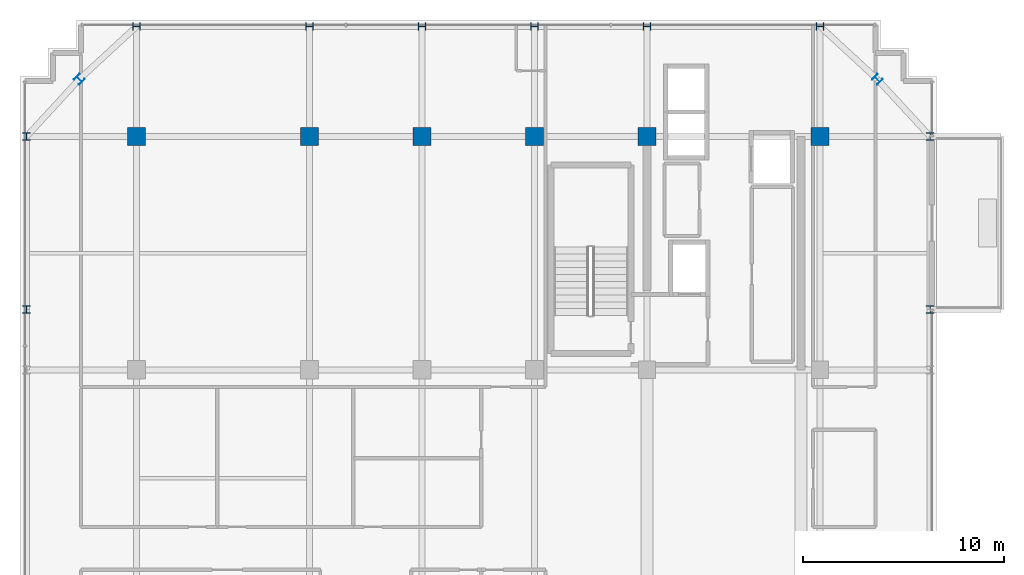
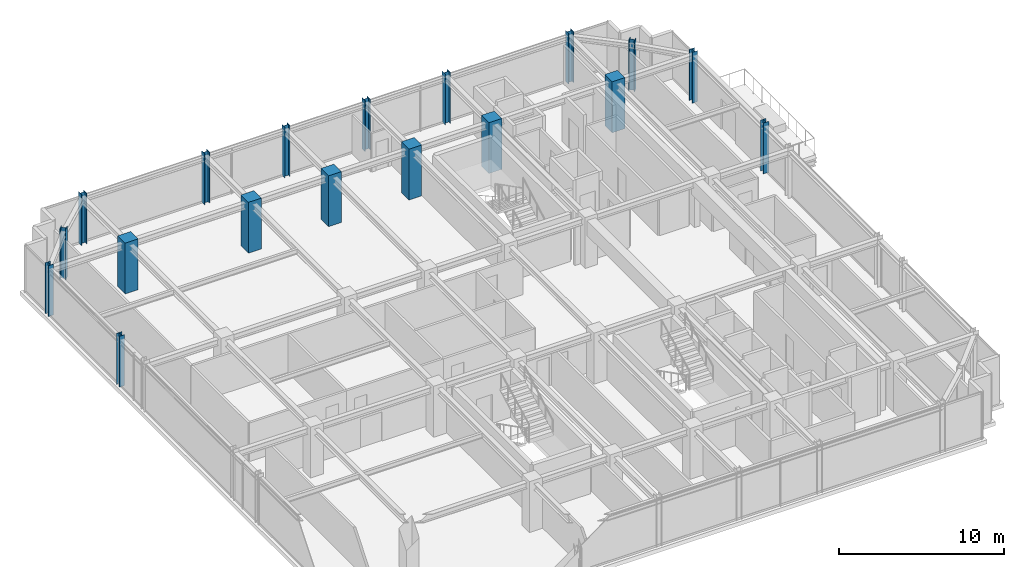
# One storey, part 3 of 32: 18 columns.
"""IFC4 building model written with IfcOpenShell, lengths in metres."""

from ifc_helpers import new_model, si_unit, direction, frame, origin, origin_2d, place, context, subcontext, project, spatial, rectangle, i_section, extrude, source, transform, mapped, material, material_profile, profile_set, type_object, element, save


model = new_model("IFC4")

# Units and contexts
model_context = context("Model", 3, precision=1e-05, world=origin(), true_north=direction((0.0, 1.0)))
body_context = subcontext(model_context, "Body", "Model", "MODEL_VIEW")
ifc_project = project(units=[si_unit("LENGTHUNIT", "METRE"), si_unit("AREAUNIT", "SQUARE_METRE"), si_unit("VOLUMEUNIT", "CUBIC_METRE"), si_unit("PLANEANGLEUNIT", "RADIAN"), si_unit("MASSUNIT", "GRAM", prefix="KILO")], contexts=[model_context])

# Site, building, storey
site_placement = place(None, origin())
site = spatial("IfcSite", under=ifc_project, at=site_placement, CompositionType="ELEMENT")
building_placement = place(site_placement, origin())
building = spatial("IfcBuilding", under=site, at=building_placement, Name="Nahalor Promenade Grand Hotel", CompositionType="ELEMENT")
storey_placement = place(building_placement, frame((0.0, 0.0, 330.949951171875)))
storey = spatial("IfcBuildingStorey", under=building, at=storey_placement, Name="L85", CompositionType="ELEMENT", Elevation=330.949951171875)

# Columns
ifc_material_1 = material(Name="Concrete B-50 (C40/50)", Category="concrete")
ifc_material_profile_1 = material_profile(ifc_material_1, rectangle(XDim=0.9, YDim=0.9, at=origin_2d()), Name="RC 900x900")
ifc_profile_set_1 = profile_set([ifc_material_profile_1], Name="Concrete B-50 (C40/50)")
column_type_1 = type_object("IfcColumnType", Name="Col-RC-900", PredefinedType="COLUMN", material=ifc_profile_set_1)
shared_shape_1 = source(origin(), body_context, "Body", "SweptSolid", [
    extrude(rectangle(XDim=0.9, YDim=0.9, at=origin_2d()), origin(), (0.0, 0.0, 1.0), 3.755126953125),
])
for number, where, z_axis, x_axis, name in (
    (1, (-17.0, 17.0, 0.0), (0.0, 0.0, 1.0), (1.0, 0.0, 0.0), "COL-L85-I03"),
    (2, (-8.39990234375, 17.0, 0.0), (0.0, 0.0, 1.0), (1.0, 0.0, 0.0), "COL-L85-I13"),
    (3, (-2.800048828125, 17.0, 0.0), (0.0, 0.0, 1.0), (1.0, 0.0, 0.0), "COL-L85-I23"),
    (4, (2.800048828125, 17.0, 0.0), (0.0, 0.0, 1.0), (1.0, 0.0, 0.0), "COL-L85-I33"),
    (5, (8.39990234375, 17.0, 0.0), (0.0, 0.0, 1.0), (1.0, 0.0, 0.0), "COL-L85-I43"),
    (6, (17.0, 17.0, 0.0), (0.0, 0.0, 1.0), (1.0, 0.0, 0.0), "COL-L85-I53"),
):
    element("IfcColumn", number, at=place(storey_placement, frame(where, z_axis=z_axis, x_axis=x_axis)), inside=storey, type_object=column_type_1, Name=name, PredefinedType="COLUMN", context=body_context, shape_type="MappedRepresentation", body=[
        mapped(shared_shape_1, transform((0.0, 0.0, 0.0), scale=1.0)),
    ])
ifc_material_2 = material(Name="Steel S355JR", Category="steel")
ifc_material_profile_2 = material_profile(ifc_material_2, i_section(OverallWidth=0.374, OverallDepth=0.374, WebThickness=0.0144, FlangeThickness=0.0229, at=origin_2d()), Name="HD 360x262")
ifc_profile_set_2 = profile_set([ifc_material_profile_2], Name="Steel S355JR")
column_type_2 = type_object("IfcColumnType", Name="Col-Steel-HD262", PredefinedType="COLUMN", material=ifc_profile_set_2)
shared_shape_2 = source(origin(), body_context, "Body", "SweptSolid", [
    extrude(i_section(OverallWidth=0.374, OverallDepth=0.374, WebThickness=0.0144, FlangeThickness=0.0229, at=origin_2d()), origin(), (0.0, 0.0, 1.0), 3.755126953125),
])
for number, where, z_axis, x_axis, name in (
    (7, (-22.47998046875, 8.39990234375, 0.0), (0.0, 0.0, 1.0), (1.0, 0.0, 0.0), "COL-L85-PW-W4"),
    (8, (22.47998046875, 8.39990234375, 0.0), (0.0, 0.0, 1.0), (1.0, 0.0, 0.0), "COL-L85-PW-E4"),
    (9, (-22.47998046875, 17.0, 0.0), (0.0, 0.0, 1.0), (1.0, 0.0, 0.0), "COL-L85-PW-W5"),
    (10, (22.47998046875, 17.0, 0.0), (0.0, 0.0, 1.0), (1.0, 0.0, 0.0), "COL-L85-PW-E5"),
    (11, (-17.0, 22.47998046875, 0.0), (0.0, 0.0, 1.0), (0.0, 1.0, 0.0), "COL-L85-PN-N0"),
    (12, (-8.39990234375, 22.47998046875, 0.0), (0.0, 0.0, 1.0), (0.0, 1.0, 0.0), "COL-L85-PN-N1"),
    (13, (-2.800048828125, 22.47998046875, 0.0), (0.0, 0.0, 1.0), (0.0, 1.0, 0.0), "COL-L85-PN-N2"),
    (14, (2.800048828125, 22.47998046875, 0.0), (0.0, 0.0, 1.0), (0.0, 1.0, 0.0), "COL-L85-PN-N3"),
    (15, (8.39990234375, 22.47998046875, 0.0), (0.0, 0.0, 1.0), (0.0, 1.0, 0.0), "COL-L85-PN-N4"),
    (16, (17.0, 22.47998046875, 0.0), (0.0, 0.0, 1.0), (0.0, 1.0, 0.0), "COL-L85-PN-N5"),
    (17, (-19.85009765625, 19.85009765625, 0.0), (0.0, 0.0, 1.0), (0.707106781187, 0.707106781187, 0.0), "COL-L85-CRN-NW"),
    (18, (19.85009765625, 19.85009765625, 0.0), (0.0, 0.0, 1.0), (0.707106781187, 0.707106781187, 0.0), "COL-L85-CRN-NE"),
):
    element("IfcColumn", number, at=place(storey_placement, frame(where, z_axis=z_axis, x_axis=x_axis)), inside=storey, type_object=column_type_2, Name=name, PredefinedType="COLUMN", context=body_context, shape_type="MappedRepresentation", body=[
        mapped(shared_shape_2, transform((0.0, 0.0, 0.0), scale=1.0)),
    ])

save(model, "model.ifc")
